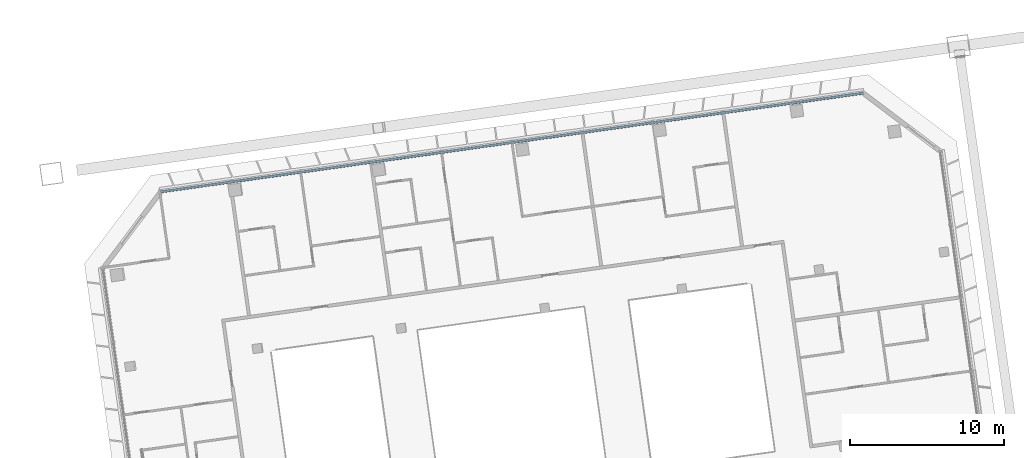
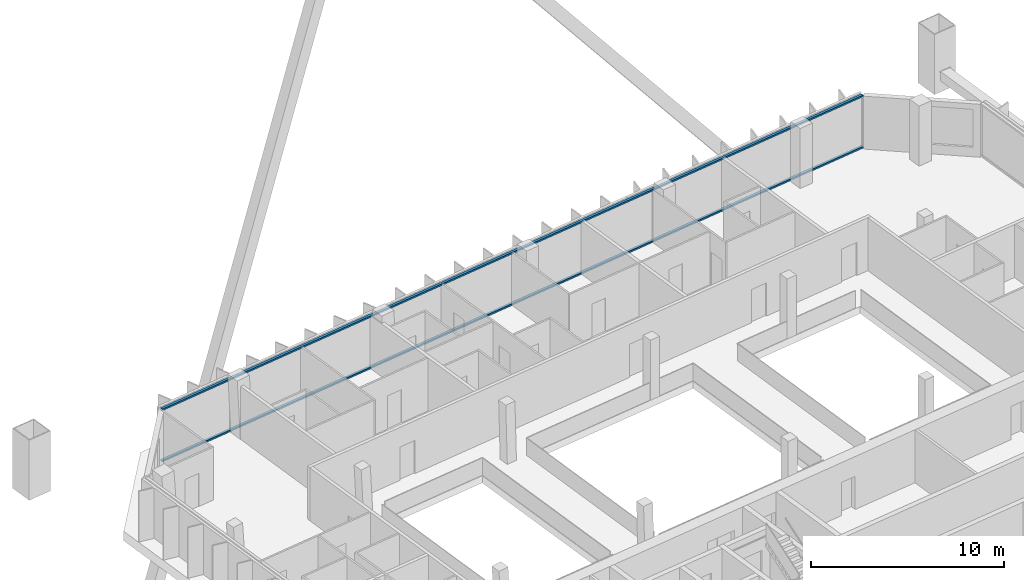
# One storey, part 19 of 38: 2 members, 1 element without a shape of its own.
"""IFC4 building model written with IfcOpenShell, lengths in metres."""

from ifc_helpers import new_model, si_unit, direction, frame, origin, origin_2d, place, context, subcontext, project, spatial, rectangle, extrude, material, material_profile, profile_set, type_object, element, aggregate, save


model = new_model("IFC4")

# Units and contexts
model_context = context("Model", 3, precision=1e-05, world=origin(), true_north=direction((0.0, 1.0)))
body_context = subcontext(model_context, "Body", "Model", "MODEL_VIEW")
ifc_project = project(units=[si_unit("LENGTHUNIT", "METRE"), si_unit("AREAUNIT", "SQUARE_METRE"), si_unit("VOLUMEUNIT", "CUBIC_METRE"), si_unit("PLANEANGLEUNIT", "RADIAN"), si_unit("MASSUNIT", "GRAM", prefix="KILO")], contexts=[model_context])

# Site, building, storey
site_placement = place(None, origin())
site = spatial("IfcSite", under=ifc_project, at=site_placement, CompositionType="ELEMENT")
building_placement = place(site_placement, origin())
building = spatial("IfcBuilding", under=site, at=building_placement, Name="Mirante Cascada Hotel Towers", CompositionType="ELEMENT")
storey_placement = place(building_placement, frame((0.0, 0.0, 184.0)))
storey = spatial("IfcBuildingStorey", under=building, at=storey_placement, Name="L43", CompositionType="ELEMENT", Elevation=184.0)

# Curtain wall, members
ifc_material_1 = material(Name="Aluminium mullion and transom frame with clear laminated glass", Category="aluminium")
curtain_wall_type = type_object("IfcCurtainWallType", Name="Ribbon curtain wall ECW1", PredefinedType="NOTDEFINED", material=ifc_material_1)
curtain_wall_placement = place(storey_placement, origin())
curtain_wall = element("IfcCurtainWall", 1, at=curtain_wall_placement, inside=storey, type_object=curtain_wall_type, Name="Front ribbon wall T2 L43", PredefinedType="NOTDEFINED")
ifc_material_2 = material(Name="Anodised aluminium extrusion", Category="aluminium")
ifc_material_profile = material_profile(ifc_material_2, rectangle(XDim=0.16, YDim=0.1, at=origin_2d()), Name="ECW1 TRANSOM 100x160")
ifc_profile_set = profile_set([ifc_material_profile], Name="Anodised aluminium extrusion")
member_type = type_object("IfcMemberType", Name="ECW1 transom 100x160", PredefinedType="USERDEFINED", material=ifc_profile_set)
member_1_placement = place(storey_placement, frame((76.3333, 23.547, 0.05), z_axis=(-0.9902679, -0.1391744, 0.0), x_axis=(0.1391744, -0.9902679, 0.0)))
member_1 = element("IfcMember", 2, at=member_1_placement, type_object=member_type, Name="ECW1 sill transom", ObjectType="TRANSOM", PredefinedType="USERDEFINED", context=body_context, shape_type="SweptSolid", body=[
    extrude(rectangle(XDim=0.16, YDim=0.1, at=origin_2d()), origin(), (0.0, 0.0, 1.0), 46.0961),
])
member_2_placement = place(storey_placement, frame((76.3333, 23.547, 3.3), z_axis=(-0.9902679, -0.1391744, 0.0), x_axis=(0.1391744, -0.9902679, 0.0)))
member_2 = element("IfcMember", 3, at=member_2_placement, type_object=member_type, Name="ECW1 head transom", ObjectType="TRANSOM", PredefinedType="USERDEFINED", context=body_context, shape_type="SweptSolid", body=[
    extrude(rectangle(XDim=0.16, YDim=0.1, at=origin_2d()), origin(), (0.0, 0.0, 1.0), 46.0961),
])
aggregate(curtain_wall, [member_1, member_2])

save(model, "model.ifc")
